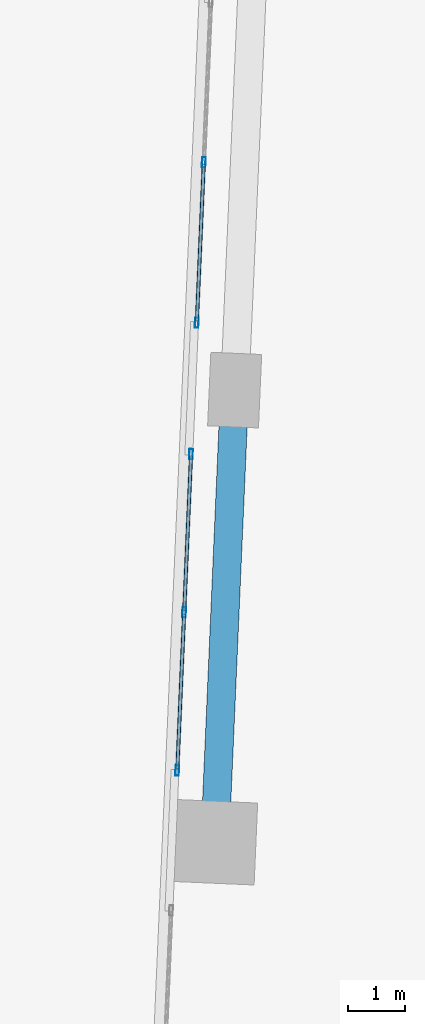
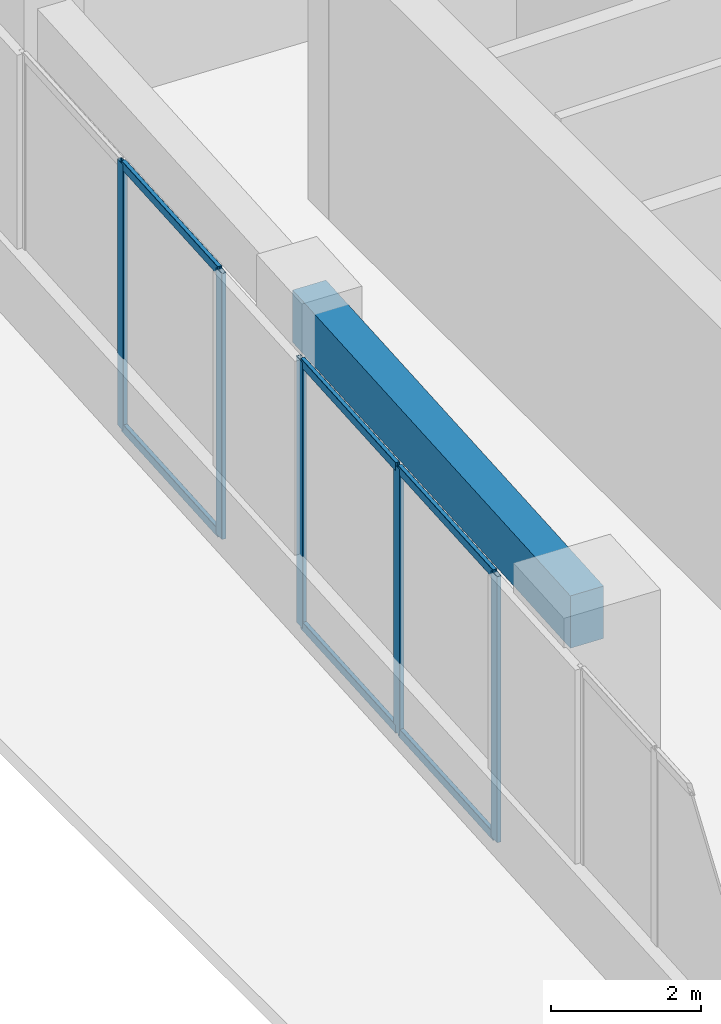
# One storey, part 8 of 33: 11 members, 1 beam, 2 elements without a shape of their own.
"""IFC4 building model written with IfcOpenShell, lengths in metres."""

from ifc_helpers import new_model, si_unit, direction, frame, origin, origin_2d, place, context, subcontext, project, spatial, rectangle, hollow_rectangle, extrude, source, transform, mapped, material, material_profile, profile_set, type_object, element, aggregate, save


model = new_model("IFC4")

# Units and contexts
model_context = context("Model", 3, precision=1e-05, world=origin(), true_north=direction((0.0, 1.0)))
body_context = subcontext(model_context, "Body", "Model", "MODEL_VIEW")
ifc_project = project(units=[si_unit("LENGTHUNIT", "METRE"), si_unit("AREAUNIT", "SQUARE_METRE"), si_unit("VOLUMEUNIT", "CUBIC_METRE"), si_unit("PLANEANGLEUNIT", "RADIAN"), si_unit("MASSUNIT", "GRAM", prefix="KILO")], contexts=[model_context])

# Site, building, storey
site_placement = place(None, origin())
site = spatial("IfcSite", under=ifc_project, at=site_placement, CompositionType="ELEMENT")
building_placement = place(site_placement, origin())
building = spatial("IfcBuilding", under=site, at=building_placement, Name="Torre Montelarca", CompositionType="ELEMENT")
storey_placement = place(building_placement, frame((0.0, 0.0, 32.800048828125)))
storey = spatial("IfcBuildingStorey", under=building, at=storey_placement, Name="L07", CompositionType="ELEMENT", Elevation=32.800048828125)

# Beam
ifc_material_1 = material(Name="Concrete C55/67", Category="concrete")
ifc_material_profile_1 = material_profile(ifc_material_1, rectangle(XDim=0.5, YDim=0.85009765625, at=origin_2d()), Name="RCB500X850", Category="concrete")
ifc_profile_set_1 = profile_set([ifc_material_profile_1], Name="Concrete C55/67")
beam_type = type_object("IfcBeamType", Name="BM-SP-RC850-EXT", PredefinedType="SPANDREL", material=ifc_profile_set_1)
shared_shape_1 = source(origin(), body_context, "Body", "SweptSolid", [
    extrude(rectangle(XDim=0.5, YDim=0.85009765625, at=origin_2d()), origin(), (0.0, 0.0, 1.0), 8.0),
])
beam_placement = place(storey_placement, frame((4.317138671875, 24.74267578125, 4.135009765625), z_axis=(0.043609387923, 0.999048658117, 0.0), x_axis=(-0.999048658117, 0.043609387923, 0.0)))
element("IfcBeam", 1, at=beam_placement, inside=storey, type_object=beam_type, Name="L07 Grid Girder Y 24.0-32.0 at X=4.7", PredefinedType="SPANDREL", context=body_context, shape_type="MappedRepresentation", body=[
    mapped(shared_shape_1, transform((0.0, 0.0, 0.0), scale=1.0)),
])

# Curtain wall, members
ifc_material_2 = material(Name="Insulated low-E laminated glass", Category="glass")
curtain_wall_type = type_object("IfcCurtainWallType", Name="CW-SYS-Z1", PredefinedType="USERDEFINED", material=ifc_material_2)
curtain_wall_1_placement = place(storey_placement, origin())
curtain_wall_1 = element("IfcCurtainWall", 2, at=curtain_wall_1_placement, inside=storey, type_object=curtain_wall_type, Name="L07 Curtain Wall Run CW-T3-L07-E10-B1", ObjectType="UNITISED GLAZING", PredefinedType="USERDEFINED")
ifc_material_3 = material(Name="Anodised aluminium AA 6063-T6", Category="aluminium")
ifc_material_profile_2 = material_profile(ifc_material_3, hollow_rectangle(XDim=0.06494140625, YDim=0.179931640625, WallThickness=0.00390625, InnerFilletRadius=0.00390625, OuterFilletRadius=0.008056640625, at=origin_2d()), Name="ALU65X180X4", Category="aluminium")
ifc_profile_set_2 = profile_set([ifc_material_profile_2], Name="Anodised aluminium AA 6063-T6")
member_type_1 = type_object("IfcMemberType", Name="CWM-ALU180", PredefinedType="MULLION", material=ifc_profile_set_2)
shared_shape_2 = source(origin(), body_context, "Body", "SweptSolid", [
    extrude(hollow_rectangle(XDim=0.06494140625, YDim=0.179931640625, WallThickness=0.00390625, InnerFilletRadius=0.00390625, OuterFilletRadius=0.008056640625, at=origin_2d()), origin(), (0.0, 0.0, 1.0), 4.320068359375),
])
member_1_placement = place(storey_placement, frame((4.12109375, 36.7626953125, 0.0), z_axis=(0.0, 0.0, 1.0), x_axis=(0.999048054881, -0.043623205266, 0.0)))
member_1 = element("IfcMember", 3, at=member_1_placement, type_object=member_type_1, Name="CW mullion 2", PredefinedType="MULLION", context=body_context, shape_type="MappedRepresentation", body=[
    mapped(shared_shape_2, transform((0.0, 0.0, 0.0), scale=1.0)),
])
member_2_placement = place(storey_placement, frame((3.997314453125, 33.927734375, 0.0), z_axis=(0.0, 0.0, 1.0), x_axis=(0.999048054881, -0.043623205266, 0.0)))
member_2 = element("IfcMember", 4, at=member_2_placement, type_object=member_type_1, Name="CW mullion 3", PredefinedType="MULLION", context=body_context, shape_type="MappedRepresentation", body=[
    mapped(shared_shape_2, transform((0.0, 0.0, 0.0), scale=1.0)),
])

curtain_wall_2_placement = place(storey_placement, origin())
curtain_wall_2 = element("IfcCurtainWall", 5, at=curtain_wall_2_placement, inside=storey, type_object=curtain_wall_type, Name="L07 Curtain Wall Run CW-T3-L07-E10-B2", ObjectType="UNITISED GLAZING", PredefinedType="USERDEFINED")
member_3_placement = place(storey_placement, frame((3.89599609375, 31.60498046875, 0.0), z_axis=(0.0, 0.0, 1.0), x_axis=(0.999048248293, -0.043618775565, 0.0)))
member_3 = element("IfcMember", 6, at=member_3_placement, type_object=member_type_1, Name="CW mullion 1", PredefinedType="MULLION", context=body_context, shape_type="MappedRepresentation", body=[
    mapped(shared_shape_2, transform((0.0, 0.0, 0.0), scale=1.0)),
])
member_4_placement = place(storey_placement, frame((3.77392578125, 28.8076171875, 0.0), z_axis=(0.0, 0.0, 1.0), x_axis=(0.999048248293, -0.043618775565, 0.0)))
member_4 = element("IfcMember", 7, at=member_4_placement, type_object=member_type_1, Name="CW mullion 2", PredefinedType="MULLION", context=body_context, shape_type="MappedRepresentation", body=[
    mapped(shared_shape_2, transform((0.0, 0.0, 0.0), scale=1.0)),
])
member_5_placement = place(storey_placement, frame((3.651611328125, 26.01025390625, 0.0), z_axis=(0.0, 0.0, 1.0), x_axis=(0.999048248293, -0.043618775565, 0.0)))
member_5 = element("IfcMember", 8, at=member_5_placement, type_object=member_type_1, Name="CW mullion 3", PredefinedType="MULLION", context=body_context, shape_type="MappedRepresentation", body=[
    mapped(shared_shape_2, transform((0.0, 0.0, 0.0), scale=1.0)),
])

# Member
ifc_material_profile_3 = material_profile(ifc_material_3, hollow_rectangle(XDim=0.06494140625, YDim=0.139892578125, WallThickness=0.00390625, InnerFilletRadius=0.00390625, OuterFilletRadius=0.008056640625, at=origin_2d()), Name="ALU65X140X4", Category="aluminium")
ifc_profile_set_3 = profile_set([ifc_material_profile_3], Name="Anodised aluminium AA 6063-T6")
member_type_2 = type_object("IfcMemberType", Name="CWT-ALU140", PredefinedType="USERDEFINED", material=ifc_profile_set_3)
shared_shape_3 = source(origin(), body_context, "Body", "SweptSolid", [
    extrude(hollow_rectangle(XDim=0.06494140625, YDim=0.139892578125, WallThickness=0.00390625, InnerFilletRadius=0.00390625, OuterFilletRadius=0.008056640625, at=origin_2d()), origin(), (0.0, 0.0, 1.0), 2.772705078125),
])
member_6_placement = place(storey_placement, frame((4.119873046875, 36.730224609375, 0.032470703125), z_axis=(-0.043674134634, -0.999045829762, 0.0), x_axis=(0.999045829762, -0.043674134634, 0.0)))
member_6 = element("IfcMember", 9, at=member_6_placement, type_object=member_type_2, Name="CW transom 2.1", ObjectType="TRANSOM", PredefinedType="USERDEFINED", context=body_context, shape_type="MappedRepresentation", body=[
    mapped(shared_shape_3, transform((0.0, 0.0, 0.0), scale=1.0)),
])

member_7_placement = place(storey_placement, frame((4.119873046875, 36.730224609375, 4.287353515625), z_axis=(-0.043674134634, -0.999045829762, 0.0), x_axis=(0.999045829762, -0.043674134634, 0.0)))
member_7 = element("IfcMember", 10, at=member_7_placement, type_object=member_type_2, Name="CW transom 2.2", ObjectType="TRANSOM", PredefinedType="USERDEFINED", context=body_context, shape_type="MappedRepresentation", body=[
    mapped(shared_shape_3, transform((0.0, 0.0, 0.0), scale=1.0)),
])

aggregate(curtain_wall_1, [member_1, member_2, member_6, member_7])

shared_shape_4 = source(origin(), body_context, "Body", "SweptSolid", [
    extrude(hollow_rectangle(XDim=0.06494140625, YDim=0.139892578125, WallThickness=0.00390625, InnerFilletRadius=0.00390625, OuterFilletRadius=0.008056640625, at=origin_2d()), origin(), (0.0, 0.0, 1.0), 2.735107421875),
])
member_8_placement = place(storey_placement, frame((3.89453125, 31.572509765625, 0.032470703125), z_axis=(-0.043650278822, -0.999046872353, 0.0), x_axis=(0.999046872353, -0.043650278822, 0.0)))
member_8 = element("IfcMember", 11, at=member_8_placement, type_object=member_type_2, Name="CW transom 1.1", ObjectType="TRANSOM", PredefinedType="USERDEFINED", context=body_context, shape_type="MappedRepresentation", body=[
    mapped(shared_shape_4, transform((0.0, 0.0, 0.0), scale=1.0)),
])

member_9_placement = place(storey_placement, frame((3.89453125, 31.572509765625, 4.287353515625), z_axis=(-0.043650278822, -0.999046872353, 0.0), x_axis=(0.999046872353, -0.043650278822, 0.0)))
member_9 = element("IfcMember", 12, at=member_9_placement, type_object=member_type_2, Name="CW transom 1.2", ObjectType="TRANSOM", PredefinedType="USERDEFINED", context=body_context, shape_type="MappedRepresentation", body=[
    mapped(shared_shape_4, transform((0.0, 0.0, 0.0), scale=1.0)),
])

member_10_placement = place(storey_placement, frame((3.7724609375, 28.775146484375, 0.032470703125), z_axis=(-0.043650278822, -0.999046872353, 0.0), x_axis=(0.999046872353, -0.043650278822, 0.0)))
member_10 = element("IfcMember", 13, at=member_10_placement, type_object=member_type_2, Name="CW transom 2.1", ObjectType="TRANSOM", PredefinedType="USERDEFINED", context=body_context, shape_type="MappedRepresentation", body=[
    mapped(shared_shape_4, transform((0.0, 0.0, 0.0), scale=1.0)),
])

member_11_placement = place(storey_placement, frame((3.7724609375, 28.775146484375, 4.287353515625), z_axis=(-0.043650278822, -0.999046872353, 0.0), x_axis=(0.999046872353, -0.043650278822, 0.0)))
member_11 = element("IfcMember", 14, at=member_11_placement, type_object=member_type_2, Name="CW transom 2.2", ObjectType="TRANSOM", PredefinedType="USERDEFINED", context=body_context, shape_type="MappedRepresentation", body=[
    mapped(shared_shape_4, transform((0.0, 0.0, 0.0), scale=1.0)),
])

aggregate(curtain_wall_2, [member_3, member_4, member_5, member_8, member_9, member_10, member_11])

save(model, "model.ifc")
